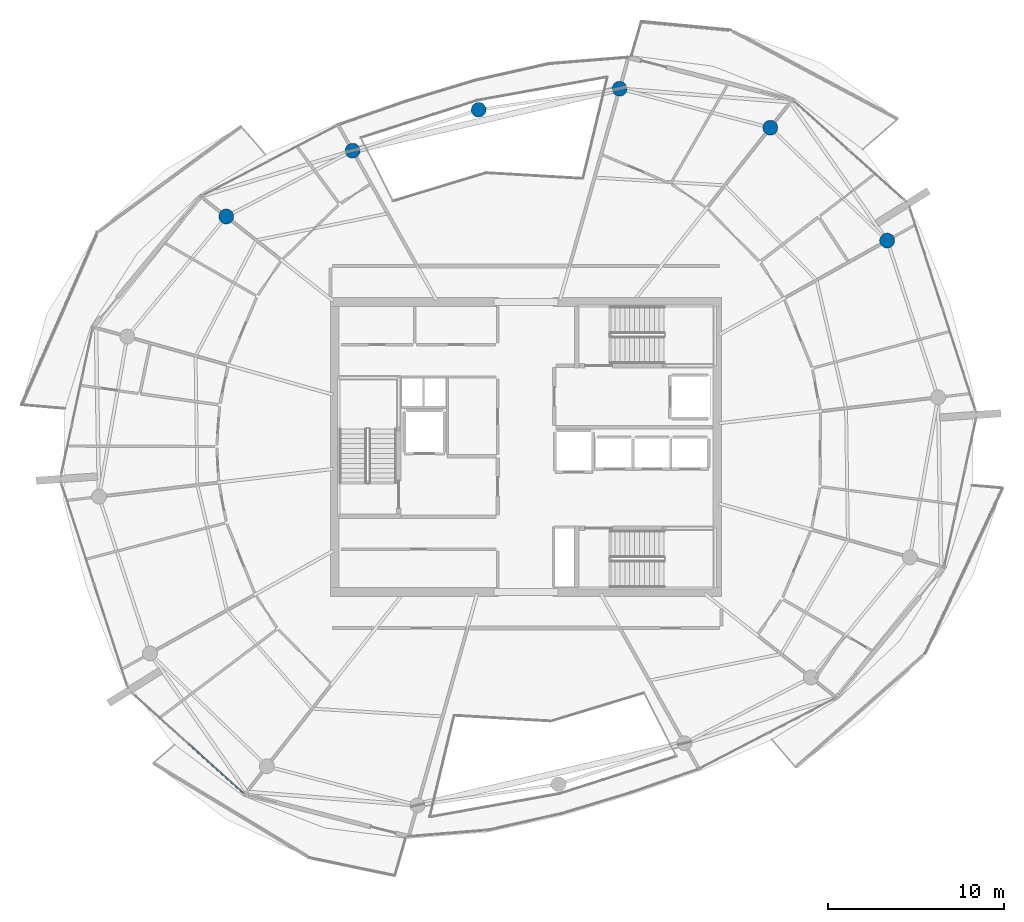
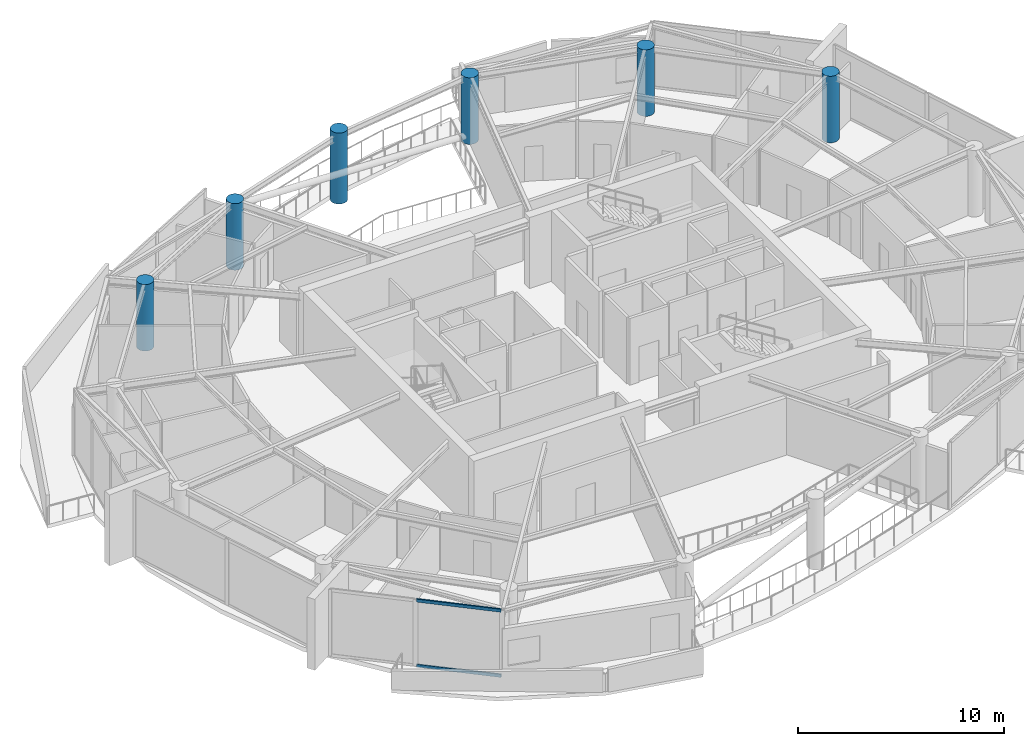
# One storey, part 4 of 22: 6 columns, 2 members, 1 element without a shape of its own.
"""IFC4 building model written with IfcOpenShell, lengths in metres."""

import ifcopenshell
import ifcopenshell.guid

model = None  # the IFC model being written
_history = None  # IfcOwnerHistory: only IFC2X3 demands one
_inside = {}  # id of a spatial element -> (the spatial element, [elements in it])
_under = {}  # id of a project, library or spatial element -> (it, [spatial elements below it])
_declared = {}  # id of a project -> (the project, [libraries it declares])
_typed = {}  # id of a type object -> (the type object, [elements of that type])
_made_of = {}  # id of a material, layer set ... -> (it, [elements and type objects made of it])


def new_model(schema):
    """Start an empty IFC model of exactly this schema.

    Asked for "IFC4X3", IfcOpenShell would pick the latest addendum, in which some entities
    have other attributes; the version numbers below select the first issue.
    IFC2X3 requires an IfcOwnerHistory on every rooted entity: one is made here for all.
    """
    global model, _history
    if schema == "IFC4X3":
        model = ifcopenshell.file(schema_version=(4, 3, 0, 0))
    else:
        model = ifcopenshell.file(schema=schema)
    _inside.clear()
    _under.clear()
    _declared.clear()
    _typed.clear()
    _made_of.clear()
    _history = None
    if model.schema == "IFC2X3":
        org = make("IfcOrganization", Name="unknown")
        user = make(
            "IfcPersonAndOrganization",
            ThePerson=make("IfcPerson", FamilyName="unknown"),
            TheOrganization=org,
        )
        app = make(
            "IfcApplication",
            ApplicationDeveloper=org,
            Version="unknown",
            ApplicationFullName="unknown",
            ApplicationIdentifier="unknown",
        )
        _history = make(
            "IfcOwnerHistory",
            OwningUser=user,
            OwningApplication=app,
            ChangeAction="ADDED",
            CreationDate=0,
        )
    return model


def make(cls, **values):
    """One entity of the class cls with the attributes given. An attribute that is None is left unset."""
    return model.create_entity(
        cls, **{name: value for name, value in values.items() if value is not None}
    )


def rooted(cls, **values):
    """An entity with a GlobalId (a new one), such as an element, a storey or a relation."""
    return make(cls, GlobalId=ifcopenshell.guid.new(), OwnerHistory=_history, **values)


def si_unit(unit_type, name, prefix=None):
    """IfcSIUnit, for example si_unit("LENGTHUNIT", "METRE", prefix="MILLI")."""
    return make("IfcSIUnit", UnitType=unit_type, Prefix=prefix, Name=name)


def assignment(units):
    """IfcUnitAssignment: the units of a project."""
    return None if units is None else make("IfcUnitAssignment", Units=units)


def point(xyz):
    """IfcCartesianPoint."""
    return None if xyz is None else make("IfcCartesianPoint", Coordinates=xyz)


def direction(xyz):
    """IfcDirection."""
    return None if xyz is None else make("IfcDirection", DirectionRatios=xyz)


def frame(location, z_axis=None, x_axis=None):
    """IfcAxis2Placement3D, a coordinate frame: its origin and axes. An axis left out is left unset."""
    return make(
        "IfcAxis2Placement3D",
        Location=point(location),
        Axis=direction(z_axis),
        RefDirection=direction(x_axis),
    )


def frame_2d(location, x_axis=None):
    """IfcAxis2Placement2D, a coordinate frame in the plane: its origin and x axis."""
    return make(
        "IfcAxis2Placement2D", Location=point(location), RefDirection=direction(x_axis)
    )


def origin():
    """The frame at (0, 0, 0) with its axes left unset."""
    return frame((0.0, 0.0, 0.0))


def origin_2d():
    """The frame at (0, 0) in the plane with its x axis left unset."""
    return frame_2d((0.0, 0.0))


def place(relative_to, where):
    """IfcLocalPlacement: puts the frame where relative to a parent placement (None: the world)."""
    return make(
        "IfcLocalPlacement", PlacementRelTo=relative_to, RelativePlacement=where
    )


def context(
    kind, dimensions, precision=None, world=None, true_north=None, identifier=None
):
    """IfcGeometricRepresentationContext, for example the 3D "Model" context."""
    return make(
        "IfcGeometricRepresentationContext",
        ContextIdentifier=identifier,
        ContextType=kind,
        CoordinateSpaceDimension=dimensions,
        Precision=precision,
        WorldCoordinateSystem=world,
        TrueNorth=true_north,
    )


def subcontext(parent, identifier, kind, view, scale=None):
    """IfcGeometricRepresentationSubContext, for example "Body" below "Model"."""
    return make(
        "IfcGeometricRepresentationSubContext",
        ContextIdentifier=identifier,
        ContextType=kind,
        ParentContext=parent,
        TargetScale=scale,
        TargetView=view,
    )


def project(units=None, contexts=None):
    """IfcProject with its units and contexts."""
    return rooted(
        "IfcProject",
        Name="project",
        RepresentationContexts=contexts,
        UnitsInContext=assignment(units),
    )


def spatial(cls, under=None, at=None, **own):
    """A site, building, storey or space (cls), placed at a placement, below another one or the project."""
    s = rooted(cls, ObjectPlacement=at, **own)
    if under is not None:
        _under.setdefault(under.id(), (under, []))[1].append(s)
    return s


def profile(cls, at=None, kind="AREA", **sizes):
    """A parametric profile (cls). Its sizes go by their IFC names, for example OverallWidth=200.0."""
    return make(cls, ProfileType=kind, Position=at, **sizes)


def rectangle(**sizes):
    """IfcRectangleProfileDef."""
    return profile("IfcRectangleProfileDef", **sizes)


def circle(**sizes):
    """IfcCircleProfileDef."""
    return profile("IfcCircleProfileDef", **sizes)


def extrude(swept, where, along, depth):
    """IfcExtrudedAreaSolid: the profile swept, set in the frame where, extruded along a direction by depth."""
    return make(
        "IfcExtrudedAreaSolid",
        SweptArea=swept,
        Position=where,
        ExtrudedDirection=direction(along),
        Depth=depth,
    )


def shape(context_of_items, identifier, shape_type, items):
    """IfcShapeRepresentation: the items that make up one representation, for example the "Body"."""
    return make(
        "IfcShapeRepresentation",
        ContextOfItems=context_of_items,
        RepresentationIdentifier=identifier,
        RepresentationType=shape_type,
        Items=items,
    )


def material(Name=None, Category=None):
    """IfcMaterial."""
    return make("IfcMaterial", Name=Name, Category=Category)


def layer(
    of_material, thickness, ventilated=None, Name=None, Category=None, Priority=None
):
    """IfcMaterialLayer: one layer of a wall or slab, of a material (None: an air gap)."""
    return make(
        "IfcMaterialLayer",
        Material=of_material,
        LayerThickness=thickness,
        IsVentilated=ventilated,
        Name=Name,
        Category=Category,
        Priority=Priority,
    )


def layer_set(layers, Name=None):
    """IfcMaterialLayerSet."""
    return make("IfcMaterialLayerSet", MaterialLayers=layers, LayerSetName=Name)


def material_profile(
    of_material, cross_section, Name=None, Category=None, Priority=None
):
    """IfcMaterialProfile: a cross section and its material."""
    return make(
        "IfcMaterialProfile",
        Name=Name,
        Material=of_material,
        Profile=cross_section,
        Priority=Priority,
        Category=Category,
    )


def profile_set(profiles, Name=None, composite=None):
    """IfcMaterialProfileSet."""
    return make(
        "IfcMaterialProfileSet",
        Name=Name,
        MaterialProfiles=profiles,
        CompositeProfile=composite,
    )


def made_of(thing, what):
    """Note that an element or type object is made of a material, layer set ...; save() writes the relation."""
    if what is not None:
        _made_of.setdefault(what.id(), (what, []))[1].append(thing)
    return thing


def type_object(cls, material=None, **own):
    """A type object (cls), such as IfcWallType, which elements share."""
    return made_of(rooted(cls, **own), material)


def element(
    cls,
    number,
    at=None,
    inside=None,
    cuts=None,
    type_object=None,
    material=None,
    context=None,
    identifier="Body",
    shape_type=None,
    held_by="IfcProductDefinitionShape",
    body=None,
    shapes=None,
    **own,
):
    """One element of the class cls, such as IfcWall. Its Tag is "e" and its number.

    at: its placement. inside: the storey or other place that contains it. cuts: it is an
    opening in that element (IfcRelVoidsElement). A single representation is given by context,
    identifier, shape_type and body (its items); several are given by shapes. held_by: the class
    of the entity that holds the representations. save() writes the other relations.
    """
    e = rooted(cls, Tag="e%d" % number, ObjectPlacement=at, **own)
    if body is not None:
        shapes = [shape(context, identifier, shape_type, body)]
    if shapes is not None:
        e.Representation = make(held_by, Representations=shapes)
    if inside is not None:
        _inside.setdefault(inside.id(), (inside, []))[1].append(e)
    if cuts is not None:
        rooted(
            "IfcRelVoidsElement", RelatingBuildingElement=cuts, RelatedOpeningElement=e
        )
    if type_object is not None:
        _typed.setdefault(type_object.id(), (type_object, []))[1].append(e)
    return made_of(e, material)


def aggregate(whole, parts):
    """IfcRelAggregates: a whole, such as a stair, and the parts it consists of."""
    return rooted("IfcRelAggregates", RelatingObject=whole, RelatedObjects=parts)


def save(model, path):
    """Write the relations noted so far, then the file.

    IfcRelAggregates (storeys below a building ...), IfcRelContainedInSpatialStructure (elements
    in a storey), IfcRelDefinesByType, IfcRelAssociatesMaterial and IfcRelDeclares: one each for
    every whole, place, type object, material and project.
    """
    for whole, parts in _under.values():
        aggregate(whole, parts)
    for where, things in _inside.values():
        rooted(
            "IfcRelContainedInSpatialStructure",
            RelatedElements=things,
            RelatingStructure=where,
        )
    for kind, things in _typed.values():
        rooted("IfcRelDefinesByType", RelatedObjects=things, RelatingType=kind)
    for what, things in _made_of.values():
        rooted("IfcRelAssociatesMaterial", RelatedObjects=things, RelatingMaterial=what)
    for by, libraries in _declared.values():
        rooted("IfcRelDeclares", RelatingContext=by, RelatedDefinitions=libraries)
    model.write(path)


model = new_model("IFC4")

# Units and contexts
model_context = context("Model", 3, precision=1e-05, world=origin(), true_north=direction((0.0, 1.0)))
body_context = subcontext(model_context, "Body", "Model", "MODEL_VIEW")
ifc_project = project(units=[si_unit("LENGTHUNIT", "METRE"), si_unit("AREAUNIT", "SQUARE_METRE"), si_unit("VOLUMEUNIT", "CUBIC_METRE"), si_unit("PLANEANGLEUNIT", "RADIAN"), si_unit("MASSUNIT", "GRAM", prefix="KILO")], contexts=[model_context])

# Site, building, storey
site_placement = place(None, origin())
site = spatial("IfcSite", under=ifc_project, at=site_placement, CompositionType="ELEMENT")
building_placement = place(site_placement, origin())
building = spatial("IfcBuilding", under=site, at=building_placement, Name="Kazma Halo Residences", CompositionType="ELEMENT")
storey_placement = place(building_placement, frame((0.0, 0.0, 326.300048828125)))
storey = spatial("IfcBuildingStorey", under=building, at=storey_placement, Name="L82", CompositionType="ELEMENT", Elevation=326.300048828125)

# Columns
ifc_material_1 = material(Name="Concrete C60/75", Category="concrete")
ifc_material_profile_1 = material_profile(ifc_material_1, circle(Radius=0.425048828125, at=origin_2d()), Name="CIRC850")
ifc_profile_set_1 = profile_set([ifc_material_profile_1], Name="Concrete C60/75")
column_type = type_object("IfcColumnType", Name="COL-PERIM-850", PredefinedType="COLUMN", material=ifc_profile_set_1)
for number, where, z_axis, x_axis, name in (
    (1, (68.96337890625, 53.739990234375, 0.0), (0.0, 0.0, 1.0), (1.0, 0.0, 0.0), "L82 perimeter ring column P01"),
    (2, (62.31591796875, 60.159423828125, 0.0), (0.0, 0.0, 1.0), (1.0, 0.0, 0.0), "L82 perimeter ring column P02"),
    (3, (53.74658203125, 62.37646484375, 0.0), (0.0, 0.0, 1.0), (1.0, 0.0, 0.0), "L82 perimeter ring column P03"),
):
    element("IfcColumn", number, at=place(storey_placement, frame(where, z_axis=z_axis, x_axis=x_axis)), inside=storey, type_object=column_type, Name=name, PredefinedType="COLUMN", context=body_context, shape_type="SweptSolid", body=[
        extrude(circle(Radius=0.425048828125, at=origin_2d()), origin(), (0.0, 0.0, 1.0), 3.93994140625),
    ])
column_placement = place(storey_placement, frame((45.72998046875, 61.17919921875, 0.0), z_axis=(0.0, 0.0, 1.0), x_axis=(1.0, 0.0, 0.0)))
element("IfcColumn", 4, at=column_placement, inside=storey, type_object=column_type, Name="L82 perimeter ring column P04", PredefinedType="COLUMN", context=body_context, shape_type="SweptSolid", body=[
    extrude(circle(Radius=0.425048828125, at=origin_2d()), origin(), (0.0, 0.0, 1.0), 4.196044921875),
])
for number, where, z_axis, x_axis, name in (
    (5, (38.563232421875, 58.8505859375, 0.0), (0.0, 0.0, 1.0), (1.0, 0.0, 0.0), "L82 perimeter ring column P05"),
    (6, (31.373779296875, 55.10693359375, 0.0), (0.0, 0.0, 1.0), (1.0, 0.0, 0.0), "L82 perimeter ring column P06"),
):
    element("IfcColumn", number, at=place(storey_placement, frame(where, z_axis=z_axis, x_axis=x_axis)), inside=storey, type_object=column_type, Name=name, PredefinedType="COLUMN", context=body_context, shape_type="SweptSolid", body=[
        extrude(circle(Radius=0.425048828125, at=origin_2d()), origin(), (0.0, 0.0, 1.0), 3.93994140625),
    ])

# Curtain wall, members
ifc_material_2 = material(Name="Aluminium AW-6063 T6 and Triple-Silver Low-E Glass", Category="aluminium")
ifc_layer = layer(ifc_material_2, 0.239990234375)
ifc_layer_set = layer_set([ifc_layer], Name="Aluminium AW-6063 T6 and Triple-Silver Low-E Glass")
curtain_wall_type = type_object("IfcCurtainWallType", Name="CW-SYS-6", PredefinedType="NOTDEFINED", material=ifc_layer_set)
curtain_wall_placement = place(storey_placement, origin())
curtain_wall = element("IfcCurtainWall", 7, at=curtain_wall_placement, inside=storey, type_object=curtain_wall_type, Name="L82 unitised curtain wall B09", PredefinedType="NOTDEFINED")
ifc_material_3 = material(Name="Aluminium AW-6063 T6", Category="aluminium")
ifc_material_profile_2 = material_profile(ifc_material_3, rectangle(XDim=0.080078125, YDim=0.179931640625, at=origin_2d()), Name="CWT-80x180")
ifc_profile_set_2 = profile_set([ifc_material_profile_2], Name="Aluminium AW-6063 T6")
member_type = type_object("IfcMemberType", Name="CW-SYS-6-TRN", PredefinedType="USERDEFINED", material=ifc_profile_set_2)
member_1_placement = place(storey_placement, frame((29.2451171875, 25.103515625, 0.0400390625), z_axis=(0.744403905463, -0.667729605103, 0.0), x_axis=(0.667729605103, 0.744403905463, 0.0)))
member_1 = element("IfcMember", 8, at=member_1_placement, type_object=member_type, Name="CWS-6 transom 2.1", ObjectType="TRANSOM", PredefinedType="USERDEFINED", context=body_context, shape_type="SweptSolid", body=[
    extrude(rectangle(XDim=0.080078125, YDim=0.179931640625, at=origin_2d()), origin(), (0.0, 0.0, 1.0), 4.19677734375),
])
member_2_placement = place(storey_placement, frame((29.2451171875, 25.103515625, 3.89990234375), z_axis=(0.744403905463, -0.667729605103, 0.0), x_axis=(0.667729605103, 0.744403905463, 0.0)))
member_2 = element("IfcMember", 9, at=member_2_placement, type_object=member_type, Name="CWS-6 transom 2.2", ObjectType="TRANSOM", PredefinedType="USERDEFINED", context=body_context, shape_type="SweptSolid", body=[
    extrude(rectangle(XDim=0.080078125, YDim=0.179931640625, at=origin_2d()), origin(), (0.0, 0.0, 1.0), 4.19677734375),
])
aggregate(curtain_wall, [member_1, member_2])

save(model, "model.ifc")
